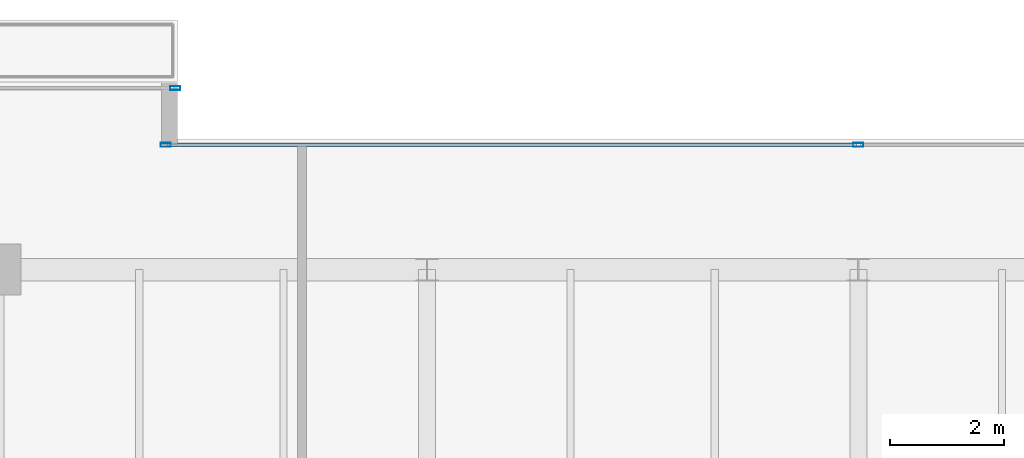
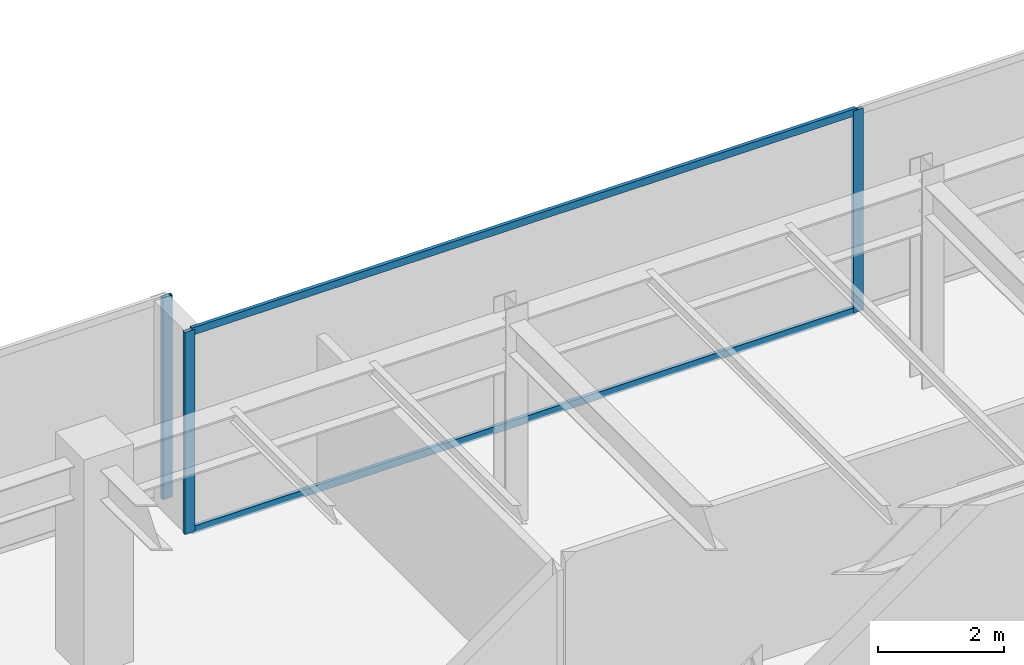
# One storey, part 21 of 34: 5 members, 2 elements without a shape of their own.
"""IFC4 building model written with IfcOpenShell, lengths in metres."""

from ifc_helpers import new_model, si_unit, direction, frame, origin, origin_2d, place, context, subcontext, project, spatial, hollow_rectangle, extrude, source, transform, mapped, material, layer, layer_set, material_profile, profile_set, type_object, type_shapes, element, aggregate, save


model = new_model("IFC4")

# Units and contexts
model_context = context("Model", 3, precision=1e-05, world=origin(), true_north=direction((0.0, 1.0)))
body_context = subcontext(model_context, "Body", "Model", "MODEL_VIEW")
ifc_project = project(units=[si_unit("LENGTHUNIT", "METRE"), si_unit("AREAUNIT", "SQUARE_METRE"), si_unit("VOLUMEUNIT", "CUBIC_METRE"), si_unit("PLANEANGLEUNIT", "RADIAN"), si_unit("MASSUNIT", "GRAM", prefix="KILO")], contexts=[model_context])

# Site, building, storey
site_placement = place(None, origin())
site = spatial("IfcSite", under=ifc_project, at=site_placement, CompositionType="ELEMENT")
building_placement = place(site_placement, origin())
building = spatial("IfcBuilding", under=site, at=building_placement, Name="Haelvirn Gate Laboratories", CompositionType="ELEMENT")
storey_placement = place(building_placement, frame((0.0, 0.0, 297.60009765625)))
storey = spatial("IfcBuildingStorey", under=building, at=storey_placement, Name="L71", CompositionType="ELEMENT", Elevation=297.60009765625)

# Curtain wall, members
ifc_material_1 = material(Name="Anodised bronze unitised aluminium & triple low-E glass", Category="aluminium")
ifc_layer = layer(ifc_material_1, 0.176025390625, Name="CW-SYS-4")
ifc_layer_set = layer_set([ifc_layer], Name="Anodised bronze unitised aluminium & triple low-E glass")
curtain_wall_type = type_object("IfcCurtainWallType", Name="CW-SYS-4", PredefinedType="NOTDEFINED", material=ifc_layer_set)
curtain_wall_1_placement = place(storey_placement, origin())
curtain_wall_1 = element("IfcCurtainWall", 1, at=curtain_wall_1_placement, inside=storey, type_object=curtain_wall_type, Name="L71 Unitised Curtain Wall CW-L71-P0-E12-1", PredefinedType="NOTDEFINED")
ifc_material_2 = material(Name="Extruded aluminium 6063-T6 (anodised bronze)", Category="aluminium")
ifc_material_profile_1 = material_profile(ifc_material_2, hollow_rectangle(XDim=0.06494140625, YDim=0.139892578125, WallThickness=0.00390625, at=origin_2d()), Name="CWT-140x65x4")
ifc_profile_set_1 = profile_set([ifc_material_profile_1], Name="Extruded aluminium 6063-T6 (anodised bronze)")
member_type_1 = type_object("IfcMemberType", Name="CWT-T140", PredefinedType="USERDEFINED", material=ifc_profile_set_1)
shared_shape_1 = source(origin(), body_context, "Body", "SweptSolid", [
    extrude(hollow_rectangle(XDim=0.06494140625, YDim=0.139892578125, WallThickness=0.00390625, at=origin_2d()), origin(), (0.0, 0.0, 1.0), 12.135009765625),
])
type_shapes(member_type_1, [shared_shape_1])
member_1_placement = place(storey_placement, frame((25.22998046875, 43.800048828125, 0.032470703125), z_axis=(1.0, 0.0, 0.0), x_axis=(0.0, 1.0, 0.0)))
member_1 = element("IfcMember", 2, at=member_1_placement, type_object=member_type_1, Name="CW4 transom 1.1", ObjectType="TRANSOM", PredefinedType="USERDEFINED", context=body_context, shape_type="MappedRepresentation", body=[
    mapped(shared_shape_1, transform((0.0, 0.0, 0.0), scale=1.0)),
])
member_2_placement = place(storey_placement, frame((25.22998046875, 43.800048828125, 3.867431640625), z_axis=(1.0, 0.0, 0.0), x_axis=(0.0, 1.0, 0.0)))
member_2 = element("IfcMember", 3, at=member_2_placement, type_object=member_type_1, Name="CW4 transom 1.2", ObjectType="TRANSOM", PredefinedType="USERDEFINED", context=body_context, shape_type="MappedRepresentation", body=[
    mapped(shared_shape_1, transform((0.0, 0.0, 0.0), scale=1.0)),
])
ifc_material_profile_2 = material_profile(ifc_material_2, hollow_rectangle(XDim=0.070068359375, YDim=0.179931640625, WallThickness=0.0048828125, at=origin_2d()), Name="CWM-180x70x5")
ifc_profile_set_2 = profile_set([ifc_material_profile_2], Name="Extruded aluminium 6063-T6 (anodised bronze)")
member_type_2 = type_object("IfcMemberType", Name="CWM-T180", PredefinedType="MULLION", material=ifc_profile_set_2)
shared_shape_2 = source(origin(), body_context, "Body", "SweptSolid", [
    extrude(hollow_rectangle(XDim=0.070068359375, YDim=0.179931640625, WallThickness=0.0048828125, at=origin_2d()), origin(), (0.0, 0.0, 1.0), 3.89990234375),
])
type_shapes(member_type_2, [shared_shape_2])
member_3_placement = place(storey_placement, frame((25.195068359375, 43.800048828125, 0.0), z_axis=(0.0, 0.0, 1.0), x_axis=(0.0, 1.0, 0.0)))
member_3 = element("IfcMember", 4, at=member_3_placement, type_object=member_type_2, Name="CW4 mullion 1", PredefinedType="MULLION", context=body_context, shape_type="MappedRepresentation", body=[
    mapped(shared_shape_2, transform((0.0, 0.0, 0.0), scale=1.0)),
])
member_4_placement = place(storey_placement, frame((37.39990234375, 43.800048828125, 0.0), z_axis=(0.0, 0.0, 1.0), x_axis=(0.0, 1.0, 0.0)))
member_4 = element("IfcMember", 5, at=member_4_placement, type_object=member_type_2, Name="CW4 mullion 2", PredefinedType="MULLION", context=body_context, shape_type="MappedRepresentation", body=[
    mapped(shared_shape_2, transform((0.0, 0.0, 0.0), scale=1.0)),
])
aggregate(curtain_wall_1, [member_3, member_4, member_1, member_2])

# Curtain wall, member
curtain_wall_2_placement = place(storey_placement, origin())
curtain_wall_2 = element("IfcCurtainWall", 6, at=curtain_wall_2_placement, inside=storey, type_object=curtain_wall_type, Name="L71 Unitised Curtain Wall CW-L71-P0-E14-2", PredefinedType="NOTDEFINED")
member_5_placement = place(storey_placement, frame((25.364990234375, 44.800048828125, 0.0), z_axis=(0.0, 0.0, 1.0), x_axis=(0.0, 1.0, 0.0)))
member_5 = element("IfcMember", 7, at=member_5_placement, type_object=member_type_2, Name="CW4 mullion 3", PredefinedType="MULLION", context=body_context, shape_type="MappedRepresentation", body=[
    mapped(shared_shape_2, transform((0.0, 0.0, 0.0), scale=1.0)),
])
aggregate(curtain_wall_2, [member_5])

save(model, "model.ifc")
